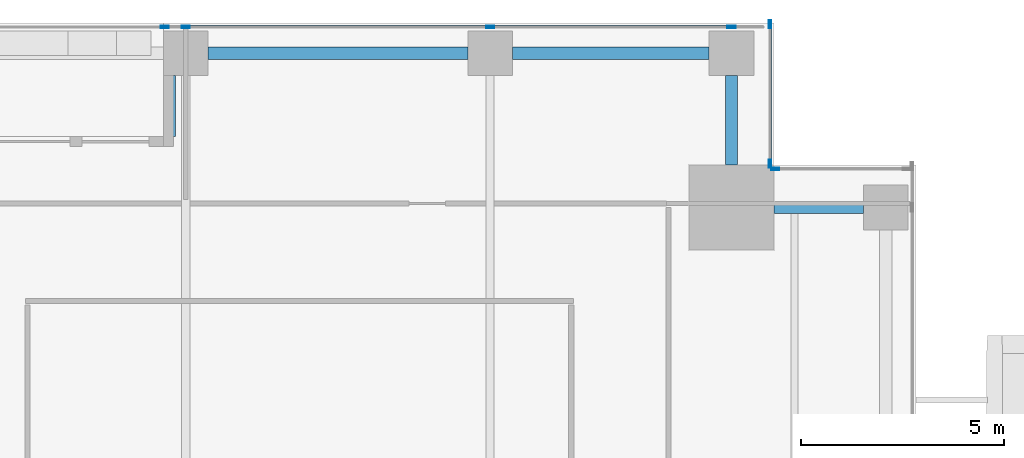
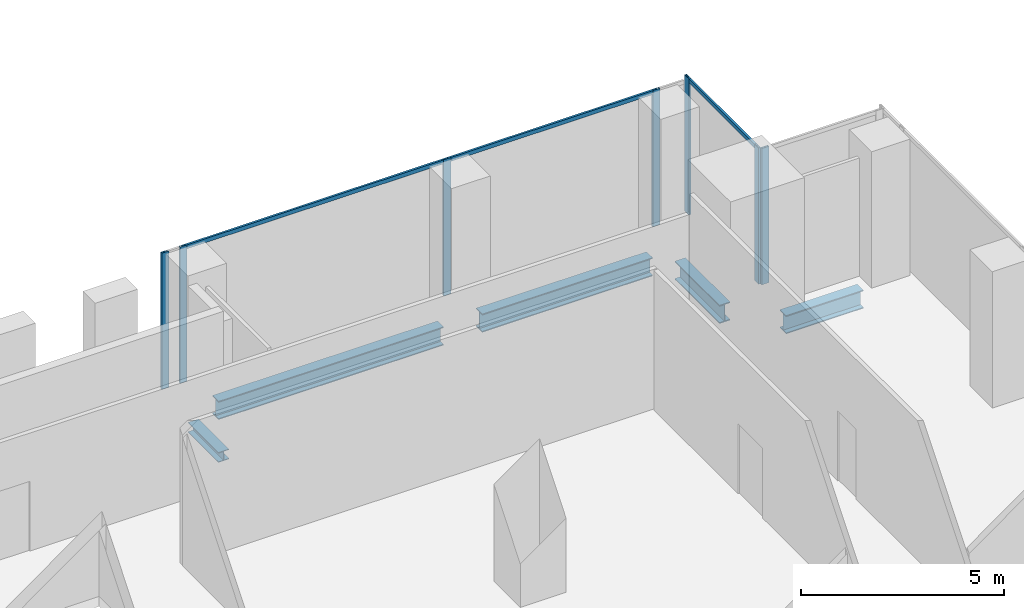
# One storey, part 20 of 35: 10 members, 5 beams, 3 elements without a shape of their own.
"""IFC4 building model written with IfcOpenShell, lengths in metres."""

import ifcopenshell
import ifcopenshell.guid

model = None  # the IFC model being written
_history = None  # IfcOwnerHistory: only IFC2X3 demands one
_inside = {}  # id of a spatial element -> (the spatial element, [elements in it])
_under = {}  # id of a project, library or spatial element -> (it, [spatial elements below it])
_declared = {}  # id of a project -> (the project, [libraries it declares])
_typed = {}  # id of a type object -> (the type object, [elements of that type])
_made_of = {}  # id of a material, layer set ... -> (it, [elements and type objects made of it])


def new_model(schema):
    """Start an empty IFC model of exactly this schema.

    Asked for "IFC4X3", IfcOpenShell would pick the latest addendum, in which some entities
    have other attributes; the version numbers below select the first issue.
    IFC2X3 requires an IfcOwnerHistory on every rooted entity: one is made here for all.
    """
    global model, _history
    if schema == "IFC4X3":
        model = ifcopenshell.file(schema_version=(4, 3, 0, 0))
    else:
        model = ifcopenshell.file(schema=schema)
    _inside.clear()
    _under.clear()
    _declared.clear()
    _typed.clear()
    _made_of.clear()
    _history = None
    if model.schema == "IFC2X3":
        org = make("IfcOrganization", Name="unknown")
        user = make(
            "IfcPersonAndOrganization",
            ThePerson=make("IfcPerson", FamilyName="unknown"),
            TheOrganization=org,
        )
        app = make(
            "IfcApplication",
            ApplicationDeveloper=org,
            Version="unknown",
            ApplicationFullName="unknown",
            ApplicationIdentifier="unknown",
        )
        _history = make(
            "IfcOwnerHistory",
            OwningUser=user,
            OwningApplication=app,
            ChangeAction="ADDED",
            CreationDate=0,
        )
    return model


def make(cls, **values):
    """One entity of the class cls with the attributes given. An attribute that is None is left unset."""
    return model.create_entity(
        cls, **{name: value for name, value in values.items() if value is not None}
    )


def rooted(cls, **values):
    """An entity with a GlobalId (a new one), such as an element, a storey or a relation."""
    return make(cls, GlobalId=ifcopenshell.guid.new(), OwnerHistory=_history, **values)


def si_unit(unit_type, name, prefix=None):
    """IfcSIUnit, for example si_unit("LENGTHUNIT", "METRE", prefix="MILLI")."""
    return make("IfcSIUnit", UnitType=unit_type, Prefix=prefix, Name=name)


def assignment(units):
    """IfcUnitAssignment: the units of a project."""
    return None if units is None else make("IfcUnitAssignment", Units=units)


def point(xyz):
    """IfcCartesianPoint."""
    return None if xyz is None else make("IfcCartesianPoint", Coordinates=xyz)


def direction(xyz):
    """IfcDirection."""
    return None if xyz is None else make("IfcDirection", DirectionRatios=xyz)


def frame(location, z_axis=None, x_axis=None):
    """IfcAxis2Placement3D, a coordinate frame: its origin and axes. An axis left out is left unset."""
    return make(
        "IfcAxis2Placement3D",
        Location=point(location),
        Axis=direction(z_axis),
        RefDirection=direction(x_axis),
    )


def frame_2d(location, x_axis=None):
    """IfcAxis2Placement2D, a coordinate frame in the plane: its origin and x axis."""
    return make(
        "IfcAxis2Placement2D", Location=point(location), RefDirection=direction(x_axis)
    )


def origin():
    """The frame at (0, 0, 0) with its axes left unset."""
    return frame((0.0, 0.0, 0.0))


def origin_2d():
    """The frame at (0, 0) in the plane with its x axis left unset."""
    return frame_2d((0.0, 0.0))


def place(relative_to, where):
    """IfcLocalPlacement: puts the frame where relative to a parent placement (None: the world)."""
    return make(
        "IfcLocalPlacement", PlacementRelTo=relative_to, RelativePlacement=where
    )


def context(
    kind, dimensions, precision=None, world=None, true_north=None, identifier=None
):
    """IfcGeometricRepresentationContext, for example the 3D "Model" context."""
    return make(
        "IfcGeometricRepresentationContext",
        ContextIdentifier=identifier,
        ContextType=kind,
        CoordinateSpaceDimension=dimensions,
        Precision=precision,
        WorldCoordinateSystem=world,
        TrueNorth=true_north,
    )


def subcontext(parent, identifier, kind, view, scale=None):
    """IfcGeometricRepresentationSubContext, for example "Body" below "Model"."""
    return make(
        "IfcGeometricRepresentationSubContext",
        ContextIdentifier=identifier,
        ContextType=kind,
        ParentContext=parent,
        TargetScale=scale,
        TargetView=view,
    )


def project(units=None, contexts=None):
    """IfcProject with its units and contexts."""
    return rooted(
        "IfcProject",
        Name="project",
        RepresentationContexts=contexts,
        UnitsInContext=assignment(units),
    )


def spatial(cls, under=None, at=None, **own):
    """A site, building, storey or space (cls), placed at a placement, below another one or the project."""
    s = rooted(cls, ObjectPlacement=at, **own)
    if under is not None:
        _under.setdefault(under.id(), (under, []))[1].append(s)
    return s


def profile(cls, at=None, kind="AREA", **sizes):
    """A parametric profile (cls). Its sizes go by their IFC names, for example OverallWidth=200.0."""
    return make(cls, ProfileType=kind, Position=at, **sizes)


def hollow_rectangle(**sizes):
    """IfcRectangleHollowProfileDef."""
    return profile("IfcRectangleHollowProfileDef", **sizes)


def i_section(**sizes):
    """IfcIShapeProfileDef."""
    return profile("IfcIShapeProfileDef", **sizes)


def extrude(swept, where, along, depth):
    """IfcExtrudedAreaSolid: the profile swept, set in the frame where, extruded along a direction by depth."""
    return make(
        "IfcExtrudedAreaSolid",
        SweptArea=swept,
        Position=where,
        ExtrudedDirection=direction(along),
        Depth=depth,
    )


def shape(context_of_items, identifier, shape_type, items):
    """IfcShapeRepresentation: the items that make up one representation, for example the "Body"."""
    return make(
        "IfcShapeRepresentation",
        ContextOfItems=context_of_items,
        RepresentationIdentifier=identifier,
        RepresentationType=shape_type,
        Items=items,
    )


def source(mapping_origin, context_of_items, identifier, shape_type, items):
    """IfcRepresentationMap: a shape defined once, which mapped items show again and again."""
    return make(
        "IfcRepresentationMap",
        MappingOrigin=mapping_origin,
        MappedRepresentation=shape(context_of_items, identifier, shape_type, items),
    )


def transform(
    local_origin,
    x_axis=None,
    y_axis=None,
    z_axis=None,
    scale=None,
    scale2=None,
    scale3=None,
    uniform=True,
):
    """IfcCartesianTransformationOperator3D, or its non-uniform kind. x_axis, y_axis, z_axis: its Axis1, 2, 3."""
    if uniform:
        return make(
            "IfcCartesianTransformationOperator3D",
            Axis1=direction(x_axis),
            Axis2=direction(y_axis),
            LocalOrigin=point(local_origin),
            Scale=scale,
            Axis3=direction(z_axis),
        )
    return make(
        "IfcCartesianTransformationOperator3DnonUniform",
        Axis1=direction(x_axis),
        Axis2=direction(y_axis),
        LocalOrigin=point(local_origin),
        Scale=scale,
        Axis3=direction(z_axis),
        Scale2=scale2,
        Scale3=scale3,
    )


def mapped(mapping_source, mapping_target):
    """IfcMappedItem: shows the shape of a source again, moved by a transform."""
    return make(
        "IfcMappedItem", MappingSource=mapping_source, MappingTarget=mapping_target
    )


def material(Name=None, Category=None):
    """IfcMaterial."""
    return make("IfcMaterial", Name=Name, Category=Category)


def material_profile(
    of_material, cross_section, Name=None, Category=None, Priority=None
):
    """IfcMaterialProfile: a cross section and its material."""
    return make(
        "IfcMaterialProfile",
        Name=Name,
        Material=of_material,
        Profile=cross_section,
        Priority=Priority,
        Category=Category,
    )


def profile_set(profiles, Name=None, composite=None):
    """IfcMaterialProfileSet."""
    return make(
        "IfcMaterialProfileSet",
        Name=Name,
        MaterialProfiles=profiles,
        CompositeProfile=composite,
    )


def made_of(thing, what):
    """Note that an element or type object is made of a material, layer set ...; save() writes the relation."""
    if what is not None:
        _made_of.setdefault(what.id(), (what, []))[1].append(thing)
    return thing


def type_object(cls, material=None, **own):
    """A type object (cls), such as IfcWallType, which elements share."""
    return made_of(rooted(cls, **own), material)


def element(
    cls,
    number,
    at=None,
    inside=None,
    cuts=None,
    type_object=None,
    material=None,
    context=None,
    identifier="Body",
    shape_type=None,
    held_by="IfcProductDefinitionShape",
    body=None,
    shapes=None,
    **own,
):
    """One element of the class cls, such as IfcWall. Its Tag is "e" and its number.

    at: its placement. inside: the storey or other place that contains it. cuts: it is an
    opening in that element (IfcRelVoidsElement). A single representation is given by context,
    identifier, shape_type and body (its items); several are given by shapes. held_by: the class
    of the entity that holds the representations. save() writes the other relations.
    """
    e = rooted(cls, Tag="e%d" % number, ObjectPlacement=at, **own)
    if body is not None:
        shapes = [shape(context, identifier, shape_type, body)]
    if shapes is not None:
        e.Representation = make(held_by, Representations=shapes)
    if inside is not None:
        _inside.setdefault(inside.id(), (inside, []))[1].append(e)
    if cuts is not None:
        rooted(
            "IfcRelVoidsElement", RelatingBuildingElement=cuts, RelatedOpeningElement=e
        )
    if type_object is not None:
        _typed.setdefault(type_object.id(), (type_object, []))[1].append(e)
    return made_of(e, material)


def aggregate(whole, parts):
    """IfcRelAggregates: a whole, such as a stair, and the parts it consists of."""
    return rooted("IfcRelAggregates", RelatingObject=whole, RelatedObjects=parts)


def save(model, path):
    """Write the relations noted so far, then the file.

    IfcRelAggregates (storeys below a building ...), IfcRelContainedInSpatialStructure (elements
    in a storey), IfcRelDefinesByType, IfcRelAssociatesMaterial and IfcRelDeclares: one each for
    every whole, place, type object, material and project.
    """
    for whole, parts in _under.values():
        aggregate(whole, parts)
    for where, things in _inside.values():
        rooted(
            "IfcRelContainedInSpatialStructure",
            RelatedElements=things,
            RelatingStructure=where,
        )
    for kind, things in _typed.values():
        rooted("IfcRelDefinesByType", RelatedObjects=things, RelatingType=kind)
    for what, things in _made_of.values():
        rooted("IfcRelAssociatesMaterial", RelatedObjects=things, RelatingMaterial=what)
    for by, libraries in _declared.values():
        rooted("IfcRelDeclares", RelatingContext=by, RelatedDefinitions=libraries)
    model.write(path)


model = new_model("IFC4")

# Units and contexts
model_context = context("Model", 3, precision=1e-05, world=origin(), true_north=direction((0.0, 1.0)))
body_context = subcontext(model_context, "Body", "Model", "MODEL_VIEW")
ifc_project = project(units=[si_unit("LENGTHUNIT", "METRE"), si_unit("AREAUNIT", "SQUARE_METRE"), si_unit("VOLUMEUNIT", "CUBIC_METRE"), si_unit("PLANEANGLEUNIT", "RADIAN"), si_unit("MASSUNIT", "GRAM", prefix="KILO")], contexts=[model_context])

# Site, building, storey
site_placement = place(None, origin())
site = spatial("IfcSite", under=ifc_project, at=site_placement, CompositionType="ELEMENT")
building_placement = place(site_placement, origin())
building = spatial("IfcBuilding", under=site, at=building_placement, Name="Khomas Fold Tower", CompositionType="ELEMENT")
storey_placement = place(building_placement, frame((0.0, 0.0, 119.10009765625)))
storey = spatial("IfcBuildingStorey", under=building, at=storey_placement, Name="L25", CompositionType="ELEMENT", Elevation=119.10009765625)

# Beams
ifc_material_1 = material(Name="Steel S355", Category="steel")
ifc_material_profile_1 = material_profile(ifc_material_1, i_section(OverallWidth=0.300048828125, OverallDepth=0.550048828125, WebThickness=0.014892578125, FlangeThickness=0.029052734375, at=origin_2d()), Name="HE 550 B")
ifc_profile_set_1 = profile_set([ifc_material_profile_1], Name="Steel S355")
beam_type_1 = type_object("IfcBeamType", Name="HE 550 B spandrel SB2", PredefinedType="SPANDREL", material=ifc_profile_set_1)
shared_shape_1 = source(origin(), body_context, "Body", "SweptSolid", [
    extrude(i_section(OverallWidth=0.300048828125, OverallDepth=0.550048828125, WebThickness=0.014892578125, FlangeThickness=0.029052734375, at=origin_2d()), origin(), (0.0, 0.0, 1.0), 4.849853515625),
])
beam_1_placement = place(storey_placement, frame((42.550048828125, 51.75, -0.5751953125), z_axis=(1.0, 0.0, 0.0), x_axis=(0.0, 1.0, 0.0)))
element("IfcBeam", 1, at=beam_1_placement, inside=storey, type_object=beam_type_1, Name="SB2", PredefinedType="SPANDREL", context=body_context, shape_type="MappedRepresentation", body=[
    mapped(shared_shape_1, transform((0.0, 0.0, 0.0))),
])
shared_shape_2 = source(origin(), body_context, "Body", "SweptSolid", [
    extrude(i_section(OverallWidth=0.300048828125, OverallDepth=0.550048828125, WebThickness=0.014892578125, FlangeThickness=0.029052734375, at=origin_2d()), origin(), (0.0, 0.0, 1.0), 6.39990234375),
])
beam_2_placement = place(storey_placement, frame((35.050048828125, 51.75, -0.5751953125), z_axis=(1.0, 0.0, 0.0), x_axis=(0.0, 1.0, 0.0)))
element("IfcBeam", 2, at=beam_2_placement, inside=storey, type_object=beam_type_1, Name="SB2", PredefinedType="SPANDREL", context=body_context, shape_type="MappedRepresentation", body=[
    mapped(shared_shape_2, transform((0.0, 0.0, 0.0))),
])
shared_shape_3 = source(origin(), body_context, "Body", "SweptSolid", [
    extrude(i_section(OverallWidth=0.300048828125, OverallDepth=0.550048828125, WebThickness=0.014892578125, FlangeThickness=0.029052734375, at=origin_2d()), origin(), (0.0, 0.0, 1.0), 2.199951171875),
])
for number, where, z_axis, x_axis, name in (
    (3, (49.0, 47.949951171875, -0.5751953125), (1.0, 0.0, 0.0), (0.0, 1.0, 0.0), "SB2"),
    (4, (47.949951171875, 49.0, -0.5751953125), (0.0, 1.0, 0.0), (-1.0, 0.0, 0.0), "SB2"),
):
    element("IfcBeam", number, at=place(storey_placement, frame(where, z_axis=z_axis, x_axis=x_axis)), inside=storey, type_object=beam_type_1, Name=name, PredefinedType="SPANDREL", context=body_context, shape_type="MappedRepresentation", body=[
        mapped(shared_shape_3, transform((0.0, 0.0, 0.0))),
    ])
ifc_material_2 = material(Name="Steel S355", Category="steel")
ifc_material_profile_2 = material_profile(ifc_material_2, i_section(OverallWidth=0.300048828125, OverallDepth=0.300048828125, WebThickness=0.010986328125, FlangeThickness=0.01904296875, at=origin_2d()), Name="HE 300 B")
ifc_profile_set_2 = profile_set([ifc_material_profile_2], Name="Steel S355")
beam_type_2 = type_object("IfcBeamType", Name="HE 300 B beam BB1", PredefinedType="BEAM", material=ifc_profile_set_2)
shared_shape_4 = source(origin(), body_context, "Body", "SweptSolid", [
    extrude(i_section(OverallWidth=0.300048828125, OverallDepth=0.300048828125, WebThickness=0.010986328125, FlangeThickness=0.01904296875, at=origin_2d()), origin(), (0.0, 0.0, 1.0), 1.5),
])
beam_3_placement = place(storey_placement, frame((34.10009765625, 49.699951171875, -0.4501953125), z_axis=(0.0, 1.0, 0.0), x_axis=(-1.0, 0.0, 0.0)))
element("IfcBeam", 5, at=beam_3_placement, inside=storey, type_object=beam_type_2, Name="BB1", PredefinedType="BEAM", context=body_context, shape_type="MappedRepresentation", body=[
    mapped(shared_shape_4, transform((0.0, 0.0, 0.0))),
])

# Curtain wall, members
ifc_material_3 = material(Name="Aluminium framed double glazing", Category="aluminium")
curtain_wall_type = type_object("IfcCurtainWallType", Name="SK-Unitised clear-glass wall, growing floors CW1", PredefinedType="NOTDEFINED", material=ifc_material_3)
curtain_wall_1_placement = place(storey_placement, origin())
curtain_wall_1 = element("IfcCurtainWall", 6, at=curtain_wall_1_placement, inside=storey, type_object=curtain_wall_type, Name="CW1 run L25 06-0", PredefinedType="NOTDEFINED")
ifc_material_4 = material(Name="Aluminium", Category="aluminium")
ifc_material_profile_3 = material_profile(ifc_material_4, hollow_rectangle(XDim=0.06005859375, YDim=0.1201171875, WallThickness=0.00390625, at=origin_2d()), Name="SK-Unitised clear-glass wall, growing floors transom CW1-T")
ifc_profile_set_3 = profile_set([ifc_material_profile_3], Name="Aluminium")
member_type_1 = type_object("IfcMemberType", Name="SK-Unitised clear-glass wall, growing floors transom CW1-T", PredefinedType="USERDEFINED", material=ifc_profile_set_3)
shared_shape_5 = source(origin(), body_context, "Body", "SweptSolid", [
    extrude(hollow_rectangle(XDim=0.06005859375, YDim=0.1201171875, WallThickness=0.00390625, at=origin_2d()), origin(), (0.0, 0.0, 1.0), 7.43994140625),
])
member_1_placement = place(storey_placement, frame((41.969970703125, 52.39990234375, 4.039794921875), z_axis=(-1.0, 0.0, 0.0), x_axis=(0.0, -1.0, 0.0)))
member_1 = element("IfcMember", 7, at=member_1_placement, type_object=member_type_1, Name="CW1 transom 3", ObjectType="TRANSOM", PredefinedType="USERDEFINED", context=body_context, shape_type="MappedRepresentation", body=[
    mapped(shared_shape_5, transform((0.0, 0.0, 0.0))),
])
shared_shape_6 = source(origin(), body_context, "Body", "SweptSolid", [
    extrude(hollow_rectangle(XDim=0.06005859375, YDim=0.1201171875, WallThickness=0.00390625, at=origin_2d()), origin(), (0.0, 0.0, 1.0), 5.889892578125),
])
member_2_placement = place(storey_placement, frame((47.919921875, 52.39990234375, 4.039794921875), z_axis=(-1.0, 0.0, 0.0), x_axis=(0.0, -1.0, 0.0)))
member_2 = element("IfcMember", 8, at=member_2_placement, type_object=member_type_1, Name="CW1 transom 2", ObjectType="TRANSOM", PredefinedType="USERDEFINED", context=body_context, shape_type="MappedRepresentation", body=[
    mapped(shared_shape_6, transform((0.0, 0.0, 0.0))),
])

# Curtain wall, member
curtain_wall_2_placement = place(storey_placement, origin())
curtain_wall_2 = element("IfcCurtainWall", 9, at=curtain_wall_2_placement, inside=storey, type_object=curtain_wall_type, Name="CW1 corner return L25 05", PredefinedType="NOTDEFINED")
shared_shape_7 = source(origin(), body_context, "Body", "SweptSolid", [
    extrude(hollow_rectangle(XDim=0.06005859375, YDim=0.1201171875, WallThickness=0.00390625, at=origin_2d()), origin(), (0.0, 0.0, 1.0), 3.3798828125),
])
member_3_placement = place(storey_placement, frame((48.89990234375, 49.06005859375, 4.039794921875), z_axis=(0.0, 1.0, 0.0), x_axis=(-1.0, 0.0, 0.0)))
member_3 = element("IfcMember", 10, at=member_3_placement, type_object=member_type_1, Name="CW1 transom 1", ObjectType="TRANSOM", PredefinedType="USERDEFINED", context=body_context, shape_type="MappedRepresentation", body=[
    mapped(shared_shape_7, transform((0.0, 0.0, 0.0))),
])

curtain_wall_3_placement = place(storey_placement, origin())
curtain_wall_3 = element("IfcCurtainWall", 11, at=curtain_wall_3_placement, inside=storey, type_object=curtain_wall_type, Name="CW1 corner return L25 04", PredefinedType="NOTDEFINED")
ifc_material_5 = material(Name="Aluminium", Category="aluminium")
ifc_material_profile_4 = material_profile(ifc_material_5, hollow_rectangle(XDim=0.06005859375, YDim=0.199951171875, WallThickness=0.00390625, at=origin_2d()), Name="SK-Unitised clear-glass wall, growing floors mullion CW1-M")
ifc_profile_set_4 = profile_set([ifc_material_profile_4], Name="Aluminium")
member_type_2 = type_object("IfcMemberType", Name="SK-Unitised clear-glass wall, growing floors mullion CW1-M", PredefinedType="MULLION", material=ifc_profile_set_4)
shared_shape_8 = source(origin(), body_context, "Body", "SweptSolid", [
    extrude(hollow_rectangle(XDim=0.06005859375, YDim=0.199951171875, WallThickness=0.00390625, at=origin_2d()), origin(), (0.0, 0.0, 1.0), 4.099853515625),
])
member_4_placement = place(storey_placement, frame((49.030029296875, 48.89990234375, 0.0), z_axis=(0.0, 0.0, 1.0), x_axis=(0.0, -1.0, 0.0)))
member_4 = element("IfcMember", 12, at=member_4_placement, type_object=member_type_2, Name="CW1 mullion 2", PredefinedType="MULLION", context=body_context, shape_type="MappedRepresentation", body=[
    mapped(shared_shape_8, transform((0.0, 0.0, 0.0))),
])
aggregate(curtain_wall_3, [member_4])

# Member
member_5_placement = place(storey_placement, frame((48.89990234375, 49.030029296875, 0.0), z_axis=(0.0, 0.0, 1.0), x_axis=(-1.0, 0.0, 0.0)))
member_5 = element("IfcMember", 13, at=member_5_placement, type_object=member_type_2, Name="CW1 mullion 1", PredefinedType="MULLION", context=body_context, shape_type="MappedRepresentation", body=[
    mapped(shared_shape_8, transform((0.0, 0.0, 0.0))),
])

member_6_placement = place(storey_placement, frame((48.89990234375, 52.469970703125, 0.0), z_axis=(0.0, 0.0, 1.0), x_axis=(-1.0, 0.0, 0.0)))
member_6 = element("IfcMember", 14, at=member_6_placement, type_object=member_type_2, Name="CW1 mullion 2", PredefinedType="MULLION", context=body_context, shape_type="MappedRepresentation", body=[
    mapped(shared_shape_8, transform((0.0, 0.0, 0.0))),
])

aggregate(curtain_wall_2, [member_5, member_6, member_3])

member_7_placement = place(storey_placement, frame((47.949951171875, 52.39990234375, 0.0), z_axis=(0.0, 0.0, 1.0), x_axis=(0.0, -1.0, 0.0)))
member_7 = element("IfcMember", 15, at=member_7_placement, type_object=member_type_2, Name="CW1 mullion 2", PredefinedType="MULLION", context=body_context, shape_type="MappedRepresentation", body=[
    mapped(shared_shape_8, transform((0.0, 0.0, 0.0))),
])

member_8_placement = place(storey_placement, frame((42.0, 52.39990234375, 0.0), z_axis=(0.0, 0.0, 1.0), x_axis=(0.0, -1.0, 0.0)))
member_8 = element("IfcMember", 16, at=member_8_placement, type_object=member_type_2, Name="CW1 mullion 3", PredefinedType="MULLION", context=body_context, shape_type="MappedRepresentation", body=[
    mapped(shared_shape_8, transform((0.0, 0.0, 0.0))),
])

member_9_placement = place(storey_placement, frame((34.5, 52.39990234375, 0.0), z_axis=(0.0, 0.0, 1.0), x_axis=(0.0, -1.0, 0.0)))
member_9 = element("IfcMember", 17, at=member_9_placement, type_object=member_type_2, Name="CW1 mullion 4", PredefinedType="MULLION", context=body_context, shape_type="MappedRepresentation", body=[
    mapped(shared_shape_8, transform((0.0, 0.0, 0.0))),
])

member_10_placement = place(storey_placement, frame((33.97998046875, 52.39990234375, 0.0), z_axis=(0.0, 0.0, 1.0), x_axis=(0.0, -1.0, 0.0)))
member_10 = element("IfcMember", 18, at=member_10_placement, type_object=member_type_2, Name="CW1 mullion 5", PredefinedType="MULLION", context=body_context, shape_type="MappedRepresentation", body=[
    mapped(shared_shape_8, transform((0.0, 0.0, 0.0))),
])

aggregate(curtain_wall_1, [member_7, member_8, member_9, member_10, member_2, member_1])

save(model, "model.ifc")
